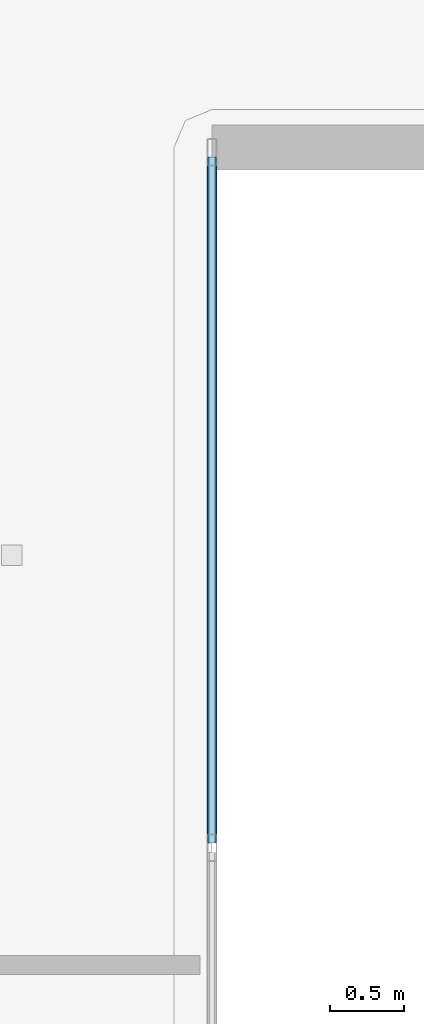
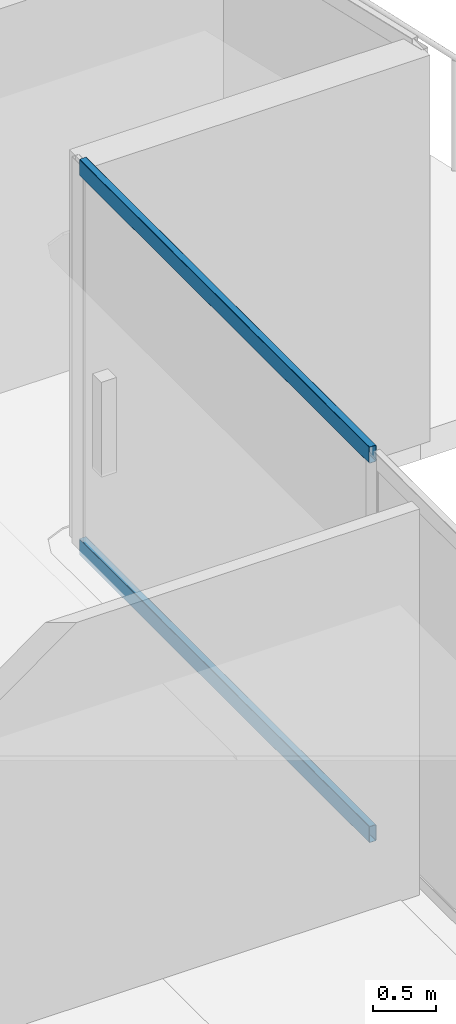
# One storey, part 12 of 36: 2 members, 1 element without a shape of its own.
"""IFC4 building model written with IfcOpenShell, lengths in metres."""

from ifc_helpers import new_model, si_unit, direction, frame, origin, origin_2d, place, context, subcontext, project, spatial, hollow_rectangle, extrude, material, layer, layer_set, material_profile, profile_set, type_object, element, aggregate, save


model = new_model("IFC4")

# Units and contexts
model_context = context("Model", 3, precision=1e-05, world=origin(), true_north=direction((0.0, 1.0)))
body_context = subcontext(model_context, "Body", "Model", "MODEL_VIEW")
ifc_project = project(units=[si_unit("LENGTHUNIT", "METRE"), si_unit("AREAUNIT", "SQUARE_METRE"), si_unit("VOLUMEUNIT", "CUBIC_METRE"), si_unit("PLANEANGLEUNIT", "RADIAN"), si_unit("MASSUNIT", "GRAM", prefix="KILO")], contexts=[model_context])

# Site, building, storey
site_placement = place(None, origin())
site = spatial("IfcSite", under=ifc_project, at=site_placement, CompositionType="ELEMENT")
building_placement = place(site_placement, origin())
building = spatial("IfcBuilding", under=site, at=building_placement, Name="Qorvath Tower", CompositionType="ELEMENT")
storey_placement = place(building_placement, frame((0.0, 0.0, 170.550048828125)))
storey = spatial("IfcBuildingStorey", under=building, at=storey_placement, Name="L39", CompositionType="ELEMENT", Elevation=170.550048828125)

# Curtain wall, members
ifc_material_1 = material(Name="Anodised aluminium and triple low-E glass", Category="aluminium")
ifc_layer = layer(ifc_material_1, 0.179931640625)
ifc_layer_set = layer_set([ifc_layer], Name="CW-SYS-3")
curtain_wall_type = type_object("IfcCurtainWallType", Name="CW-SYS-3", PredefinedType="NOTDEFINED", material=ifc_layer_set)
curtain_wall_placement = place(storey_placement, origin())
curtain_wall = element("IfcCurtainWall", 1, at=curtain_wall_placement, inside=storey, type_object=curtain_wall_type, Name="Curtain Wall CW-3 CW-T-L39-9.1", PredefinedType="NOTDEFINED")
ifc_material_2 = material(Name="Anodised aluminium 6063-T6", Category="aluminium")
ifc_material_profile = material_profile(ifc_material_2, hollow_rectangle(XDim=0.06494140625, YDim=0.159912109375, WallThickness=0.00341796875, InnerFilletRadius=0.00341796875, OuterFilletRadius=0.007080078125, at=origin_2d()), Name="CWT 160x65")
ifc_profile_set = profile_set([ifc_material_profile], Name="Anodised aluminium 6063-T6")
member_type = type_object("IfcMemberType", Name="CWT-160", PredefinedType="USERDEFINED", material=ifc_profile_set)
member_1_placement = place(storey_placement, frame((-0.183837890625, 0.032470703125, 0.032470703125), z_axis=(0.0, 1.0, 0.0), x_axis=(-1.0, 0.0, 0.0)))
member_1 = element("IfcMember", 2, at=member_1_placement, type_object=member_type, Name="CW-3 transom 2.1", ObjectType="TRANSOM", PredefinedType="USERDEFINED", context=body_context, shape_type="SweptSolid", body=[
    extrude(hollow_rectangle(XDim=0.06494140625, YDim=0.159912109375, WallThickness=0.00341796875, InnerFilletRadius=0.00341796875, OuterFilletRadius=0.007080078125, at=origin_2d()), origin(), (0.0, 0.0, 1.0), 4.611328125),
])
member_2_placement = place(storey_placement, frame((-0.183837890625, 0.032470703125, 3.717529296875), z_axis=(0.0, 1.0, 0.0), x_axis=(-1.0, 0.0, 0.0)))
member_2 = element("IfcMember", 3, at=member_2_placement, type_object=member_type, Name="CW-3 transom 2.2", ObjectType="TRANSOM", PredefinedType="USERDEFINED", context=body_context, shape_type="SweptSolid", body=[
    extrude(hollow_rectangle(XDim=0.06494140625, YDim=0.159912109375, WallThickness=0.00341796875, InnerFilletRadius=0.00341796875, OuterFilletRadius=0.007080078125, at=origin_2d()), origin(), (0.0, 0.0, 1.0), 4.611328125),
])
aggregate(curtain_wall, [member_1, member_2])

save(model, "model.ifc")
